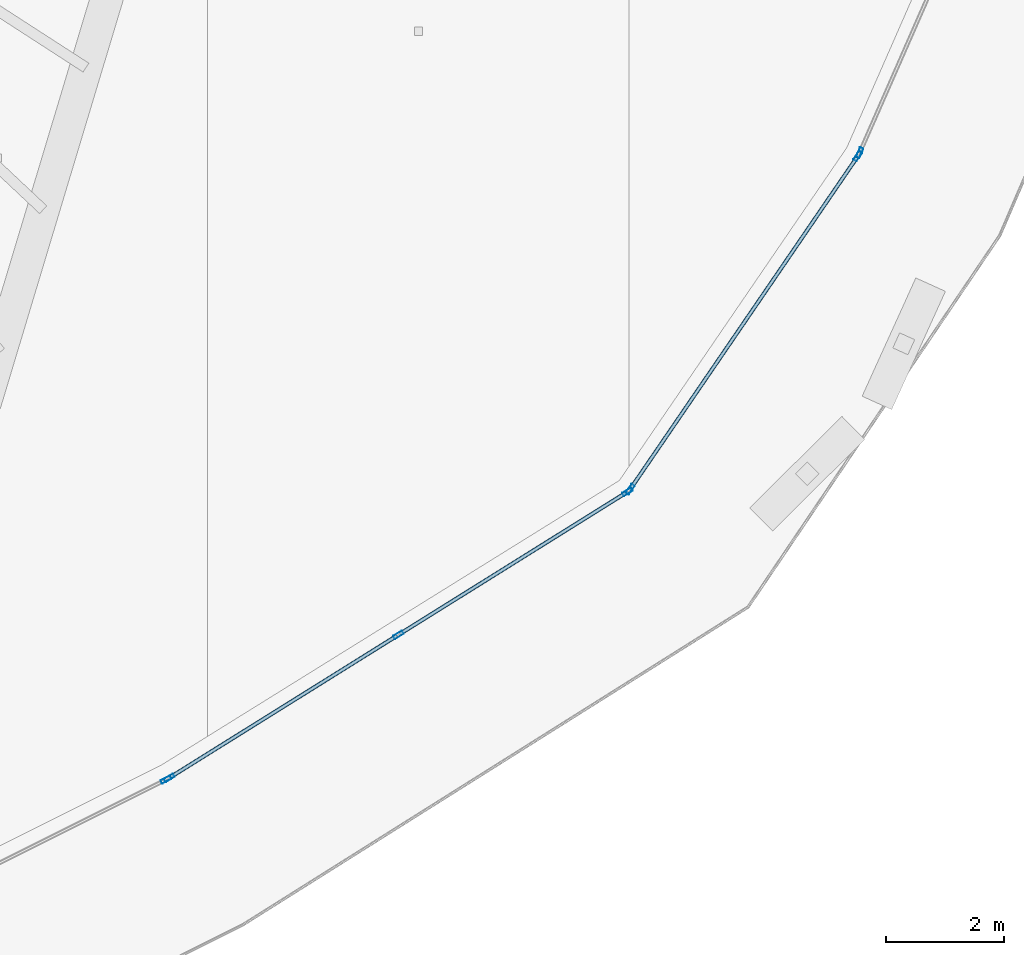
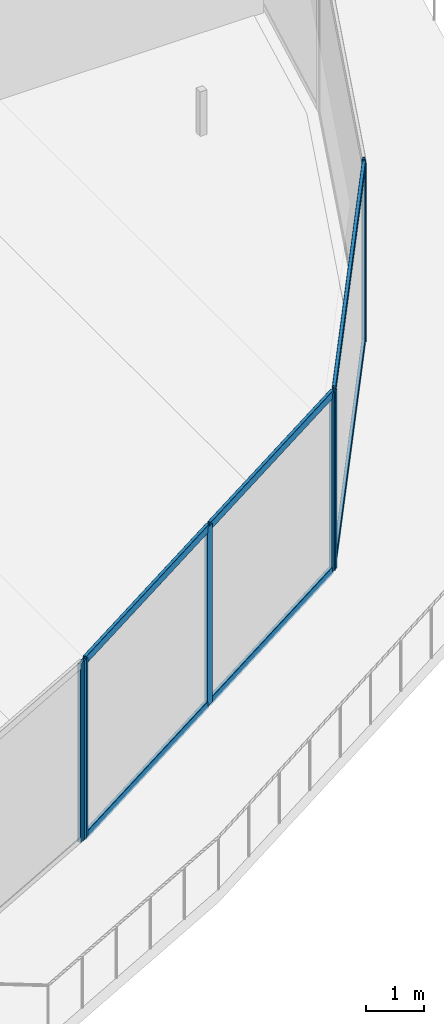
# One storey, part 10 of 45: 13 members, 4 elements without a shape of their own.
"""IFC4 building model written with IfcOpenShell, lengths in metres."""

from ifc_helpers import new_model, si_unit, direction, frame, origin, origin_2d, place, context, subcontext, project, spatial, hollow_rectangle, extrude, material, layer, layer_set, material_profile, profile_set, type_object, element, aggregate, save


model = new_model("IFC4")

# Units and contexts
model_context = context("Model", 3, precision=1e-05, world=origin(), true_north=direction((0.0, 1.0)))
body_context = subcontext(model_context, "Body", "Model", "MODEL_VIEW")
ifc_project = project(units=[si_unit("LENGTHUNIT", "METRE"), si_unit("AREAUNIT", "SQUARE_METRE"), si_unit("VOLUMEUNIT", "CUBIC_METRE"), si_unit("PLANEANGLEUNIT", "RADIAN"), si_unit("MASSUNIT", "GRAM", prefix="KILO")], contexts=[model_context])

# Site, building, storey
site_placement = place(None, origin())
site = spatial("IfcSite", under=ifc_project, at=site_placement, CompositionType="ELEMENT")
building_placement = place(site_placement, origin())
building = spatial("IfcBuilding", under=site, at=building_placement, Name="Qorvath Tower", CompositionType="ELEMENT")
storey_placement = place(building_placement, frame((0.0, 0.0, 126.0)))
storey = spatial("IfcBuildingStorey", under=building, at=storey_placement, Name="L28", CompositionType="ELEMENT", Elevation=126.0)

# Curtain wall, member
ifc_material_1 = material(Name="Anodised aluminium and triple low-E glass", Category="aluminium")
ifc_layer = layer(ifc_material_1, 0.179931640625)
ifc_layer_set = layer_set([ifc_layer], Name="CW-SYS-2")
curtain_wall_type = type_object("IfcCurtainWallType", Name="CW-SYS-2", PredefinedType="NOTDEFINED", material=ifc_layer_set)
curtain_wall_1_placement = place(storey_placement, origin())
curtain_wall_1 = element("IfcCurtainWall", 1, at=curtain_wall_1_placement, inside=storey, type_object=curtain_wall_type, Name="Curtain Wall CW-2 CW-T-L28-3.1", PredefinedType="NOTDEFINED")
ifc_material_2 = material(Name="Anodised aluminium 6063-T6", Category="aluminium")
ifc_material_profile_1 = material_profile(ifc_material_2, hollow_rectangle(XDim=0.06494140625, YDim=0.179931640625, WallThickness=0.00341796875, InnerFilletRadius=0.00341796875, OuterFilletRadius=0.007080078125, at=origin_2d()), Name="CWM 180x65")
ifc_profile_set_1 = profile_set([ifc_material_profile_1], Name="Anodised aluminium 6063-T6")
member_type_1 = type_object("IfcMemberType", Name="CWM-180", PredefinedType="MULLION", material=ifc_profile_set_1)
member_1_placement = place(storey_placement, frame((-11.367431640625, -28.604736328125, 0.0), z_axis=(0.0, 0.0, 1.0), x_axis=(-0.447262398188, 0.894402787992, 0.0)))
member_1 = element("IfcMember", 2, at=member_1_placement, type_object=member_type_1, Name="CW-2 mullion 2", PredefinedType="MULLION", context=body_context, shape_type="SweptSolid", body=[
    extrude(hollow_rectangle(XDim=0.06494140625, YDim=0.179931640625, WallThickness=0.00341796875, InnerFilletRadius=0.00341796875, OuterFilletRadius=0.007080078125, at=origin_2d()), origin(), (0.0, 0.0, 1.0), 3.77001953125),
])
aggregate(curtain_wall_1, [member_1])

# Curtain wall, members
curtain_wall_2_placement = place(storey_placement, origin())
curtain_wall_2 = element("IfcCurtainWall", 3, at=curtain_wall_2_placement, inside=storey, type_object=curtain_wall_type, Name="Curtain Wall CW-2 CW-T-L28-4.1", PredefinedType="NOTDEFINED")
member_2_placement = place(storey_placement, frame((-11.310791015625, -28.572998046875, 0.0), z_axis=(0.0, 0.0, 1.0), x_axis=(-0.529503324069, 0.84830786263, 0.0)))
member_2 = element("IfcMember", 4, at=member_2_placement, type_object=member_type_1, Name="CW-2 mullion 1", PredefinedType="MULLION", context=body_context, shape_type="SweptSolid", body=[
    extrude(hollow_rectangle(XDim=0.06494140625, YDim=0.179931640625, WallThickness=0.00341796875, InnerFilletRadius=0.00341796875, OuterFilletRadius=0.007080078125, at=origin_2d()), origin(), (0.0, 0.0, 1.0), 3.77001953125),
])
member_3_placement = place(storey_placement, frame((-7.4296875, -26.150390625, 0.0), z_axis=(0.0, 0.0, 1.0), x_axis=(-0.529503324069, 0.84830786263, 0.0)))
member_3 = element("IfcMember", 5, at=member_3_placement, type_object=member_type_1, Name="CW-2 mullion 2", PredefinedType="MULLION", context=body_context, shape_type="SweptSolid", body=[
    extrude(hollow_rectangle(XDim=0.06494140625, YDim=0.179931640625, WallThickness=0.00341796875, InnerFilletRadius=0.00341796875, OuterFilletRadius=0.007080078125, at=origin_2d()), origin(), (0.0, 0.0, 1.0), 3.77001953125),
])
member_4_placement = place(storey_placement, frame((-3.548828125, -23.72802734375, 0.0), z_axis=(0.0, 0.0, 1.0), x_axis=(-0.529503324069, 0.84830786263, 0.0)))
member_4 = element("IfcMember", 6, at=member_4_placement, type_object=member_type_1, Name="CW-2 mullion 3", PredefinedType="MULLION", context=body_context, shape_type="SweptSolid", body=[
    extrude(hollow_rectangle(XDim=0.06494140625, YDim=0.179931640625, WallThickness=0.00341796875, InnerFilletRadius=0.00341796875, OuterFilletRadius=0.007080078125, at=origin_2d()), origin(), (0.0, 0.0, 1.0), 3.77001953125),
])

curtain_wall_3_placement = place(storey_placement, origin())
curtain_wall_3 = element("IfcCurtainWall", 7, at=curtain_wall_3_placement, inside=storey, type_object=curtain_wall_type, Name="Curtain Wall CW-2 CW-T-L28-5.1", PredefinedType="NOTDEFINED")
member_5_placement = place(storey_placement, frame((-3.5029296875, -23.683837890625, 0.0), z_axis=(0.0, 0.0, 1.0), x_axis=(-0.825662865244, 0.564163835208, 0.0)))
member_5 = element("IfcMember", 8, at=member_5_placement, type_object=member_type_1, Name="CW-2 mullion 1", PredefinedType="MULLION", context=body_context, shape_type="SweptSolid", body=[
    extrude(hollow_rectangle(XDim=0.06494140625, YDim=0.179931640625, WallThickness=0.00341796875, InnerFilletRadius=0.00341796875, OuterFilletRadius=0.007080078125, at=origin_2d()), origin(), (0.0, 0.0, 1.0), 3.77001953125),
])
member_6_placement = place(storey_placement, frame((0.35400390625, -18.039306640625, 0.0), z_axis=(0.0, 0.0, 1.0), x_axis=(-0.825662865244, 0.564163835208, 0.0)))
member_6 = element("IfcMember", 9, at=member_6_placement, type_object=member_type_1, Name="CW-2 mullion 2", PredefinedType="MULLION", context=body_context, shape_type="SweptSolid", body=[
    extrude(hollow_rectangle(XDim=0.06494140625, YDim=0.179931640625, WallThickness=0.00341796875, InnerFilletRadius=0.00341796875, OuterFilletRadius=0.007080078125, at=origin_2d()), origin(), (0.0, 0.0, 1.0), 3.77001953125),
])

# Curtain wall, member
curtain_wall_4_placement = place(storey_placement, origin())
curtain_wall_4 = element("IfcCurtainWall", 10, at=curtain_wall_4_placement, inside=storey, type_object=curtain_wall_type, Name="Curtain Wall CW-2 CW-T-L28-6.1", PredefinedType="NOTDEFINED")
member_7_placement = place(storey_placement, frame((0.38525390625, -17.982666015625, 0.0), z_axis=(0.0, 0.0, 1.0), x_axis=(-0.915793818987, 0.401648703602, 0.0)))
member_7 = element("IfcMember", 11, at=member_7_placement, type_object=member_type_1, Name="CW-2 mullion 1", PredefinedType="MULLION", context=body_context, shape_type="SweptSolid", body=[
    extrude(hollow_rectangle(XDim=0.06494140625, YDim=0.179931640625, WallThickness=0.00341796875, InnerFilletRadius=0.00341796875, OuterFilletRadius=0.007080078125, at=origin_2d()), origin(), (0.0, 0.0, 1.0), 3.77001953125),
])
aggregate(curtain_wall_4, [member_7])

# Member
ifc_material_3 = material(Name="Anodised aluminium 6063-T6", Category="aluminium")
ifc_material_profile_2 = material_profile(ifc_material_3, hollow_rectangle(XDim=0.06494140625, YDim=0.159912109375, WallThickness=0.00341796875, InnerFilletRadius=0.00341796875, OuterFilletRadius=0.007080078125, at=origin_2d()), Name="CWT 160x65")
ifc_profile_set_2 = profile_set([ifc_material_profile_2], Name="Anodised aluminium 6063-T6")
member_type_2 = type_object("IfcMemberType", Name="CWT-160", PredefinedType="USERDEFINED", material=ifc_profile_set_2)
member_8_placement = place(storey_placement, frame((-11.283203125, -28.5556640625, 0.032470703125), z_axis=(0.848323552443, 0.52947818687, 0.0), x_axis=(-0.52947818687, 0.848323552443, 0.0)))
member_8 = element("IfcMember", 12, at=member_8_placement, type_object=member_type_2, Name="CW-2 transom 1.1", ObjectType="TRANSOM", PredefinedType="USERDEFINED", context=body_context, shape_type="SweptSolid", body=[
    extrude(hollow_rectangle(XDim=0.06494140625, YDim=0.159912109375, WallThickness=0.00341796875, InnerFilletRadius=0.00341796875, OuterFilletRadius=0.007080078125, at=origin_2d()), origin(), (0.0, 0.0, 1.0), 4.510009765625),
])

member_9_placement = place(storey_placement, frame((-11.283203125, -28.5556640625, 3.737548828125), z_axis=(0.848323552443, 0.52947818687, 0.0), x_axis=(-0.52947818687, 0.848323552443, 0.0)))
member_9 = element("IfcMember", 13, at=member_9_placement, type_object=member_type_2, Name="CW-2 transom 1.2", ObjectType="TRANSOM", PredefinedType="USERDEFINED", context=body_context, shape_type="SweptSolid", body=[
    extrude(hollow_rectangle(XDim=0.06494140625, YDim=0.159912109375, WallThickness=0.00341796875, InnerFilletRadius=0.00341796875, OuterFilletRadius=0.007080078125, at=origin_2d()), origin(), (0.0, 0.0, 1.0), 4.510009765625),
])

member_10_placement = place(storey_placement, frame((-7.40234375, -26.13330078125, 0.032470703125), z_axis=(0.848299237237, 0.529517142407, 0.0), x_axis=(-0.529517142407, 0.848299237237, 0.0)))
member_10 = element("IfcMember", 14, at=member_10_placement, type_object=member_type_2, Name="CW-2 transom 2.1", ObjectType="TRANSOM", PredefinedType="USERDEFINED", context=body_context, shape_type="SweptSolid", body=[
    extrude(hollow_rectangle(XDim=0.06494140625, YDim=0.159912109375, WallThickness=0.00341796875, InnerFilletRadius=0.00341796875, OuterFilletRadius=0.007080078125, at=origin_2d()), origin(), (0.0, 0.0, 1.0), 4.510009765625),
])

member_11_placement = place(storey_placement, frame((-7.40234375, -26.13330078125, 3.737548828125), z_axis=(0.848299237237, 0.529517142407, 0.0), x_axis=(-0.529517142407, 0.848299237237, 0.0)))
member_11 = element("IfcMember", 15, at=member_11_placement, type_object=member_type_2, Name="CW-2 transom 2.2", ObjectType="TRANSOM", PredefinedType="USERDEFINED", context=body_context, shape_type="SweptSolid", body=[
    extrude(hollow_rectangle(XDim=0.06494140625, YDim=0.159912109375, WallThickness=0.00341796875, InnerFilletRadius=0.00341796875, OuterFilletRadius=0.007080078125, at=origin_2d()), origin(), (0.0, 0.0, 1.0), 4.510009765625),
])

aggregate(curtain_wall_2, [member_2, member_3, member_4, member_8, member_9, member_10, member_11])

member_12_placement = place(storey_placement, frame((-3.484619140625, -23.656982421875, 0.032470703125), z_axis=(0.564182312323, 0.825650239788, 0.0), x_axis=(-0.825650239788, 0.564182312323, 0.0)))
member_12 = element("IfcMember", 16, at=member_12_placement, type_object=member_type_2, Name="CW-2 transom 1.1", ObjectType="TRANSOM", PredefinedType="USERDEFINED", context=body_context, shape_type="SweptSolid", body=[
    extrude(hollow_rectangle(XDim=0.06494140625, YDim=0.159912109375, WallThickness=0.00341796875, InnerFilletRadius=0.00341796875, OuterFilletRadius=0.007080078125, at=origin_2d()), origin(), (0.0, 0.0, 1.0), 6.771484375),
])

member_13_placement = place(storey_placement, frame((-3.484619140625, -23.656982421875, 3.737548828125), z_axis=(0.564182312323, 0.825650239788, 0.0), x_axis=(-0.825650239788, 0.564182312323, 0.0)))
member_13 = element("IfcMember", 17, at=member_13_placement, type_object=member_type_2, Name="CW-2 transom 1.2", ObjectType="TRANSOM", PredefinedType="USERDEFINED", context=body_context, shape_type="SweptSolid", body=[
    extrude(hollow_rectangle(XDim=0.06494140625, YDim=0.159912109375, WallThickness=0.00341796875, InnerFilletRadius=0.00341796875, OuterFilletRadius=0.007080078125, at=origin_2d()), origin(), (0.0, 0.0, 1.0), 6.771484375),
])

aggregate(curtain_wall_3, [member_5, member_6, member_12, member_13])

save(model, "model.ifc")
